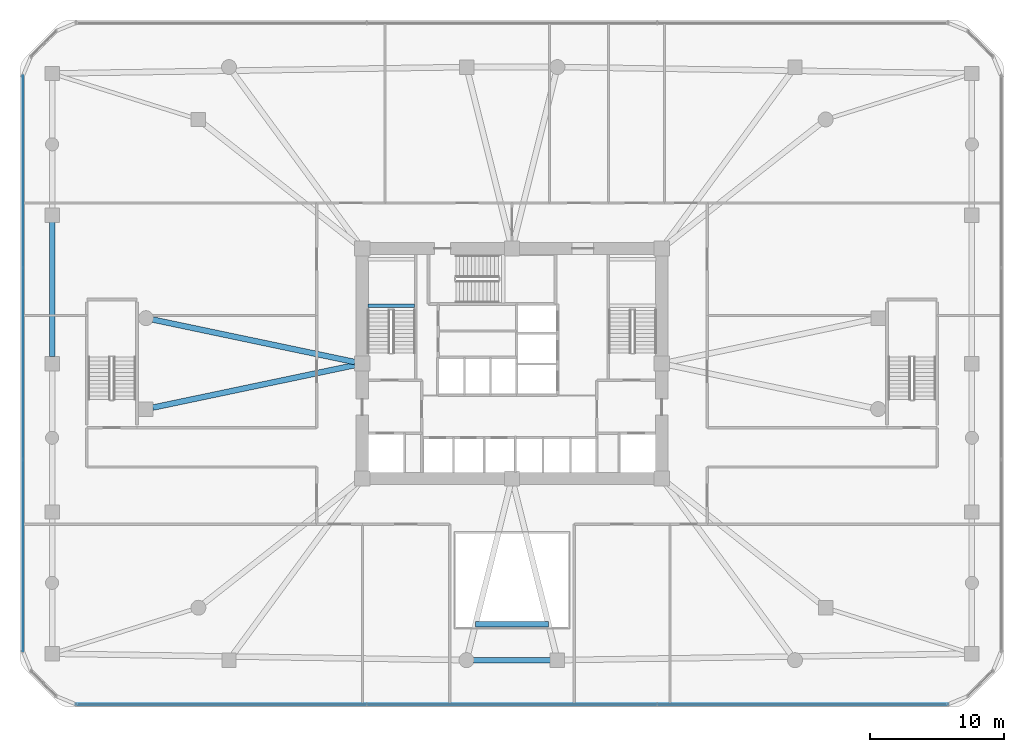
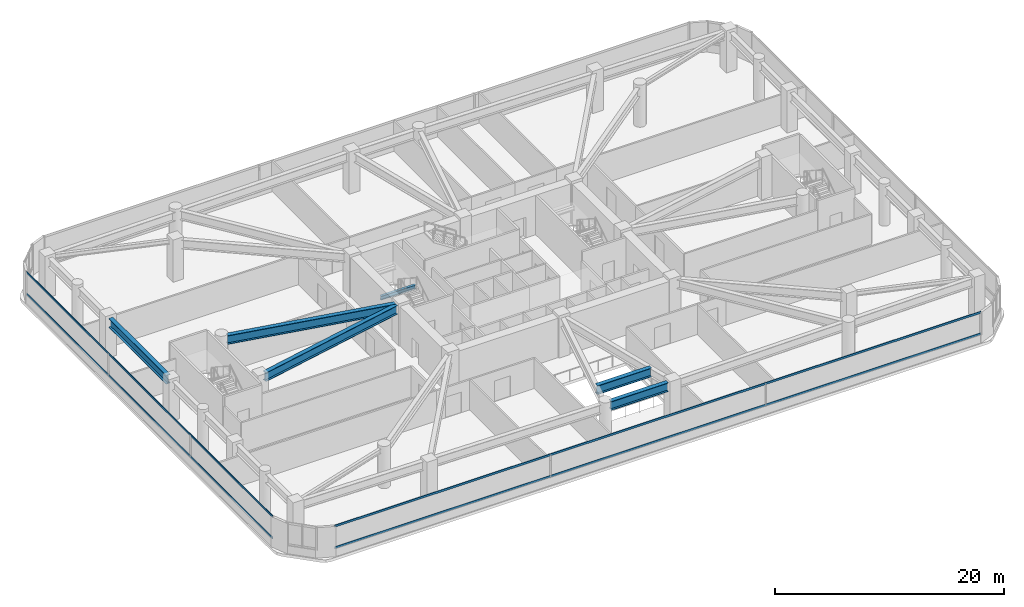
# One storey, part 3 of 21: 6 beams, 4 members, 2 elements without a shape of their own.
"""IFC4 building model written with IfcOpenShell, lengths in metres."""

from ifc_helpers import new_model, si_unit, derived_unit, direction, frame, origin, origin_2d, place, context, subcontext, project, spatial, rectangle, i_section, extrude, material, material_profile, profile_set, type_object, element, aggregate, save


model = new_model("IFC4")

# Units and contexts
model_context = context("Model", 3, precision=1e-05, world=origin(), true_north=direction((0.0, 1.0)))
body_context = subcontext(model_context, "Body", "Model", "MODEL_VIEW")
ifc_project = project(units=[si_unit("LENGTHUNIT", "METRE"), si_unit("AREAUNIT", "SQUARE_METRE"), si_unit("VOLUMEUNIT", "CUBIC_METRE"), si_unit("PLANEANGLEUNIT", "RADIAN"), si_unit("MASSUNIT", "GRAM", prefix="KILO"), derived_unit("THERMALTRANSMITTANCEUNIT", [(si_unit("POWERUNIT", "WATT"), 1), (si_unit("LENGTHUNIT", "METRE"), -2), (si_unit("THERMODYNAMICTEMPERATUREUNIT", "KELVIN"), -1)])], contexts=[model_context])

# Site, building, storey
site_placement = place(None, origin())
site = spatial("IfcSite", under=ifc_project, at=site_placement, CompositionType="ELEMENT")
building_placement = place(site_placement, origin())
building = spatial("IfcBuilding", under=site, at=building_placement, Name="Koralith Skygarden Medical Center", CompositionType="ELEMENT")
storey_placement = place(building_placement, frame((0.0, 0.0, 5.39990234375)))
storey = spatial("IfcBuildingStorey", under=building, at=storey_placement, Name="L01", CompositionType="ELEMENT", Elevation=5.39990234375)

# Curtain wall, members
ifc_material_1 = material(Name="Clear Laminated Glass", Category="glass")
curtain_wall_type = type_object("IfcCurtainWallType", Name="CW-1 Transit & Podium Acoustic Curtain Wall", PredefinedType="NOTDEFINED", material=ifc_material_1)
curtain_wall_1_placement = place(storey_placement, origin())
curtain_wall_1 = element("IfcCurtainWall", 1, at=curtain_wall_1_placement, inside=storey, type_object=curtain_wall_type, Name="Curtain Wall CW-L01-S", PredefinedType="NOTDEFINED")
ifc_material_2 = material(Name="Aluminium 6063-T6", Category="aluminium")
ifc_material_profile_1 = material_profile(ifc_material_2, rectangle(XDim=0.06298828125, YDim=0.216064453125, at=origin_2d()), Name="TRN63X216")
ifc_profile_set_1 = profile_set([ifc_material_profile_1], Name="Aluminium 6063-T6")
member_type = type_object("IfcMemberType", Name="CW-1 Thermal Transom 63x216", PredefinedType="USERDEFINED", material=ifc_profile_set_1)
member_1_placement = place(storey_placement, frame((4.37890625, 0.419921875, 0.900146484375), z_axis=(1.0, 0.0, 0.0), x_axis=(0.0, 1.0, 0.0)))
member_1 = element("IfcMember", 2, at=member_1_placement, type_object=member_type, Name="CW-L01-S Transom 1", ObjectType="TRANSOM", PredefinedType="USERDEFINED", context=body_context, shape_type="SweptSolid", body=[
    extrude(rectangle(XDim=0.06298828125, YDim=0.216064453125, at=origin_2d()), origin(), (0.0, 0.0, 1.0), 65.2421875),
])
member_2_placement = place(storey_placement, frame((4.37890625, 0.419921875, 3.190185546875), z_axis=(1.0, 0.0, 0.0), x_axis=(0.0, 1.0, 0.0)))
member_2 = element("IfcMember", 3, at=member_2_placement, type_object=member_type, Name="CW-L01-S Transom 2", ObjectType="TRANSOM", PredefinedType="USERDEFINED", context=body_context, shape_type="SweptSolid", body=[
    extrude(rectangle(XDim=0.06298828125, YDim=0.216064453125, at=origin_2d()), origin(), (0.0, 0.0, 1.0), 65.2421875),
])
aggregate(curtain_wall_1, [member_1, member_2])

curtain_wall_2_placement = place(storey_placement, origin())
curtain_wall_2 = element("IfcCurtainWall", 4, at=curtain_wall_2_placement, inside=storey, type_object=curtain_wall_type, Name="Curtain Wall CW-L01-W", PredefinedType="NOTDEFINED")
member_3_placement = place(storey_placement, frame((0.419921875, 47.4208984375, 0.900146484375), z_axis=(0.0, -1.0, 0.0), x_axis=(1.0, 0.0, 0.0)))
member_3 = element("IfcMember", 5, at=member_3_placement, type_object=member_type, Name="CW-L01-W Transom 1", ObjectType="TRANSOM", PredefinedType="USERDEFINED", context=body_context, shape_type="SweptSolid", body=[
    extrude(rectangle(XDim=0.06298828125, YDim=0.216064453125, at=origin_2d()), origin(), (0.0, 0.0, 1.0), 43.0419921875),
])
member_4_placement = place(storey_placement, frame((0.419921875, 47.4208984375, 3.190185546875), z_axis=(0.0, -1.0, 0.0), x_axis=(1.0, 0.0, 0.0)))
member_4 = element("IfcMember", 6, at=member_4_placement, type_object=member_type, Name="CW-L01-W Transom 2", ObjectType="TRANSOM", PredefinedType="USERDEFINED", context=body_context, shape_type="SweptSolid", body=[
    extrude(rectangle(XDim=0.06298828125, YDim=0.216064453125, at=origin_2d()), origin(), (0.0, 0.0, 1.0), 43.0419921875),
])
aggregate(curtain_wall_2, [member_3, member_4])

# Beams
ifc_material_3 = material(Name="Steel ASTM A992 Grade 50", Category="steel")
ifc_material_profile_2 = material_profile(ifc_material_3, i_section(OverallWidth=0.260009765625, OverallDepth=0.4150390625, WebThickness=0.010009765625, FlangeThickness=0.016845703125, at=origin_2d()), Name="W16X67")
ifc_profile_set_2 = profile_set([ifc_material_profile_2], Name="Steel ASTM A992 Grade 50")
beam_type_1 = type_object("IfcBeamType", Name="Clinical Floor Joist W16X67", PredefinedType="JOIST", material=ifc_profile_set_2)
beam_1_placement = place(storey_placement, frame((26.22998046875, 30.239990234375, 1.843017578125), z_axis=(1.0, 0.0, 0.0), x_axis=(0.0, 1.0, 0.0)))
element("IfcBeam", 7, at=beam_1_placement, inside=storey, type_object=beam_type_1, Name="L01 Stair ST1 Half-Landing Support Beam 1A", PredefinedType="JOIST", context=body_context, shape_type="SweptSolid", body=[
    extrude(i_section(OverallWidth=0.260009765625, OverallDepth=0.4150390625, WebThickness=0.010009765625, FlangeThickness=0.016845703125, at=origin_2d()), origin(), (0.0, 0.0, 1.0), 3.489990234375),
])
ifc_material_profile_3 = material_profile(ifc_material_3, i_section(OverallWidth=0.423095703125, OverallDepth=0.947998046875, WebThickness=0.02392578125, FlangeThickness=0.042724609375, at=origin_2d()), Name="W36X302")
ifc_profile_set_3 = profile_set([ifc_material_profile_3], Name="Steel ASTM A992 Grade 50")
beam_type_2 = type_object("IfcBeamType", Name="Podium Concourse Girder W36X302", PredefinedType="BEAM", material=ifc_profile_set_3)
beam_2_placement = place(storey_placement, frame((34.1201171875, 3.719970703125, 3.72607421875), z_axis=(1.0, 0.0, 0.0), x_axis=(0.0, 1.0, 0.0)))
element("IfcBeam", 8, at=beam_2_placement, inside=storey, type_object=beam_type_2, Name="L01 Podium Perimeter Beam PB-03", PredefinedType="BEAM", context=body_context, shape_type="SweptSolid", body=[
    extrude(i_section(OverallWidth=0.423095703125, OverallDepth=0.947998046875, WebThickness=0.02392578125, FlangeThickness=0.042724609375, at=origin_2d()), origin(), (0.0, 0.0, 1.0), 5.759765625),
])
beam_3_placement = place(storey_placement, frame((2.60009765625, 36.47998046875, 3.72607421875), z_axis=(0.0, -1.0, 0.0), x_axis=(1.0, 0.0, 0.0)))
element("IfcBeam", 9, at=beam_3_placement, inside=storey, type_object=beam_type_2, Name="L01 Podium Perimeter Beam PB-13", PredefinedType="BEAM", context=body_context, shape_type="SweptSolid", body=[
    extrude(i_section(OverallWidth=0.423095703125, OverallDepth=0.947998046875, WebThickness=0.02392578125, FlangeThickness=0.042724609375, at=origin_2d()), origin(), (0.0, 0.0, 1.0), 10.06005859375),
])
for number, where, z_axis, x_axis, name in (
    (10, (25.251953125, 25.784912109375, 3.72607421875), (-0.978625652149, -0.205649782288, 0.0), (0.205649782288, -0.978625652149, 0.0), "L01 Podium Radial Girder PRG-01"),
    (11, (25.251953125, 26.014892578125, 3.72607421875), (-0.978622472518, 0.205664912619, 0.0), (-0.205664912619, -0.978622472518, 0.0), "L01 Podium Radial Girder PRG-16"),
):
    element("IfcBeam", number, at=place(storey_placement, frame(where, z_axis=z_axis, x_axis=x_axis)), inside=storey, type_object=beam_type_2, Name=name, PredefinedType="BEAM", context=body_context, shape_type="SweptSolid", body=[
        extrude(i_section(OverallWidth=0.423095703125, OverallDepth=0.947998046875, WebThickness=0.02392578125, FlangeThickness=0.042724609375, at=origin_2d()), origin(), (0.0, 0.0, 1.0), 15.453369140625),
    ])
beam_4_placement = place(storey_placement, frame((34.27099609375, 6.39990234375, 3.72607421875), z_axis=(1.0, 0.0, 0.0), x_axis=(0.0, 1.0, 0.0)))
element("IfcBeam", 12, at=beam_4_placement, inside=storey, type_object=beam_type_2, Name="L01 Atrium Skylight Header Girder", PredefinedType="BEAM", context=body_context, shape_type="SweptSolid", body=[
    extrude(i_section(OverallWidth=0.423095703125, OverallDepth=0.947998046875, WebThickness=0.02392578125, FlangeThickness=0.042724609375, at=origin_2d()), origin(), (0.0, 0.0, 1.0), 5.4580078125),
])

save(model, "model.ifc")
